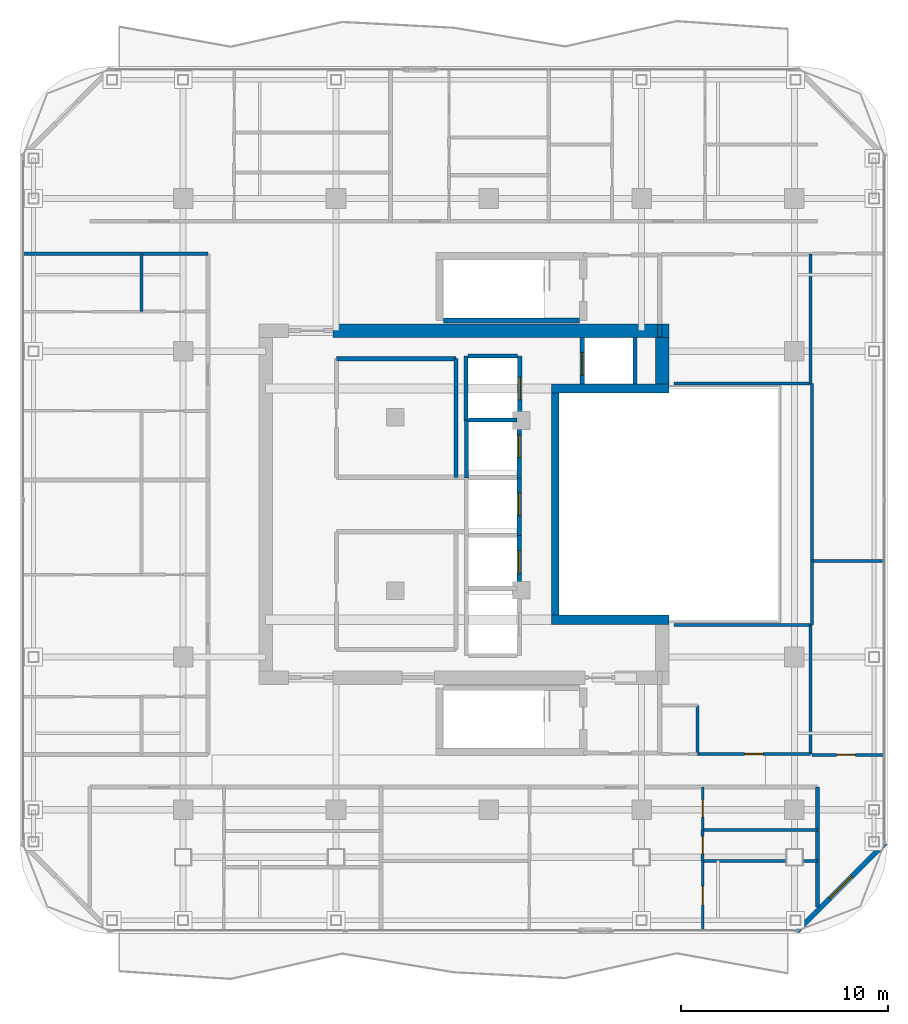
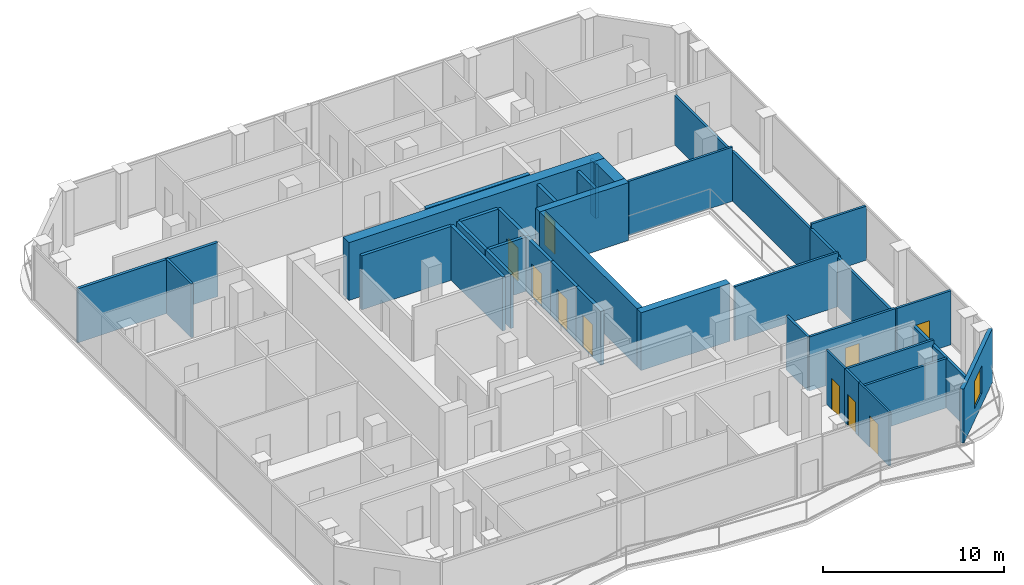
# One storey, part 19 of 22: 38 walls, 10 doors, 1 window, 11 openings.
"""IFC4 building model written with IfcOpenShell, lengths in metres."""

from ifc_helpers import new_model, si_unit, direction, frame, frame_2d, origin, place, context, subcontext, project, spatial, rectangle, extrude, material, layer, layer_set, type_object, element, fill, save


model = new_model("IFC4")

# Units and contexts
model_context = context("Model", 3, precision=1e-05, world=origin(), true_north=direction((0.0, 1.0)))
body_context = subcontext(model_context, "Body", "Model", "MODEL_VIEW")
ifc_project = project(units=[si_unit("LENGTHUNIT", "METRE"), si_unit("AREAUNIT", "SQUARE_METRE"), si_unit("VOLUMEUNIT", "CUBIC_METRE"), si_unit("PLANEANGLEUNIT", "RADIAN"), si_unit("MASSUNIT", "GRAM", prefix="KILO")], contexts=[model_context])

# Site, building, storey
site_placement = place(None, origin())
site = spatial("IfcSite", under=ifc_project, at=site_placement, CompositionType="ELEMENT")
building_placement = place(site_placement, origin())
building = spatial("IfcBuilding", under=site, at=building_placement, Name="Khorvyn Point Tower", CompositionType="ELEMENT")
storey_placement = place(building_placement, frame((0.0, 0.0, 309.300048828125)))
storey = spatial("IfcBuildingStorey", under=building, at=storey_placement, Name="L76", CompositionType="ELEMENT", Elevation=309.300048828125)

# Walls
ifc_material_1 = material(Name="Double acoustic gypsum on twin steel stud", Category="steel")
ifc_layer_1 = layer(ifc_material_1, 0.179931640625)
ifc_layer_set_1 = layer_set([ifc_layer_1], Name="Acoustic Double-Stud Apartment Demising Wall 180")
wall_type_1 = type_object("IfcWallType", Name="Acoustic Double-Stud Apartment Demising Wall 180", PredefinedType="PARTITIONING", material=ifc_layer_set_1)
wall_1_placement = place(storey_placement, frame((15.919921875, -19.510009765625, 0.0), z_axis=(0.0, 0.0, 1.0), x_axis=(0.0, 1.0, 0.0)))
element("IfcWall", 1, at=wall_1_placement, inside=storey, type_object=wall_type_1, Name="Wall", PredefinedType="PARTITIONING", context=body_context, shape_type="SweptSolid", body=[
    extrude(rectangle(XDim=5.81005859375, YDim=0.179931640625, at=frame_2d((2.905029296875, 0.0))), origin(), (0.0, 0.0, 1.0), 3.329833984375),
])
wall_2_placement = place(storey_placement, frame((-22.530029296875, 12.1201171875, 0.0), z_axis=(0.0, 0.0, 1.0), x_axis=(1.0, 0.0, 0.0)))
element("IfcWall", 2, at=wall_2_placement, inside=storey, type_object=wall_type_1, Name="Wall", PredefinedType="PARTITIONING", context=body_context, shape_type="SweptSolid", body=[
    extrude(rectangle(XDim=8.929931640625, YDim=0.179931640625, at=frame_2d((4.46484375, 0.0))), origin(), (0.0, 0.0, 1.0), 3.639892578125),
])

# Wall, opening, window
ifc_material_2 = material(Name="Pale anodised aluminium rainscreen on steel stud", Category="steel")
ifc_layer_2 = layer(ifc_material_2, 0.239990234375)
ifc_layer_set_2 = layer_set([ifc_layer_2], Name="Anodised Aluminium Insulated Corner Spandrel Wall 240")
wall_type_2 = type_object("IfcWallType", Name="Anodised Aluminium Insulated Corner Spandrel Wall 240", PredefinedType="SOLIDWALL", material=ifc_layer_set_2)
wall_3_placement = place(storey_placement, frame((19.1923828125, -16.40771484375, 0.0), z_axis=(0.0, 0.0, 1.0), x_axis=(-0.707106781187, -0.707106781187, 0.0)))
wall_3 = element("IfcWall", 3, at=wall_3_placement, inside=storey, type_object=wall_type_2, Name="L76 Rounded Corner Wall SE", PredefinedType="SOLIDWALL", context=body_context, shape_type="SweptSolid", body=[
    extrude(rectangle(XDim=6.059326171875, YDim=0.239990234375, at=frame_2d((3.02978515625, 0.0))), origin(), (0.0, 0.0, 1.0), 3.639892578125),
])
opening_1_placement = place(wall_3_placement, frame((2.27978515625, 0.0, 0.800048828125)))
opening_1 = element("IfcOpeningElement", 4, at=opening_1_placement, cuts=wall_3, Name="Opening WN-1518", PredefinedType="OPENING", context=body_context, shape_type="SweptSolid", body=[
    extrude(rectangle(XDim=1.5, YDim=1.85009765625, at=frame_2d((0.75, 0.925048828125))), frame((0.0, 0.1298828125, 0.0), z_axis=(0.0, -1.0, 0.0), x_axis=(1.0, 0.0, 0.0)), (0.0, 0.0, 1.0), 0.260009765625),
])
ifc_material_3 = material(Name="Anodised aluminium 6063-T6 and laminated Low-E glass", Category="aluminium")
window_type = type_object("IfcWindowType", Name="Anodised Aluminium Rounded-Corner Panoramic Window 1500x1850", PartitioningType="SINGLE_PANEL", PredefinedType="WINDOW", material=ifc_material_3)
window_placement = place(opening_1_placement, origin())
window = element("IfcWindow", 5, at=window_placement, inside=storey, type_object=window_type, Name="L76 Corner Panoramic Window SE", OverallHeight=1.85009765625, OverallWidth=1.5, PartitioningType="SINGLE_PANEL", PredefinedType="WINDOW", context=body_context, shape_type="SweptSolid", body=[
    extrude(rectangle(XDim=1.5, YDim=1.85009765625, at=frame_2d((0.75, 0.925048828125))), frame((0.0, 0.030029296875, 0.0), z_axis=(0.0, -1.0, 0.0), x_axis=(1.0, 0.0, 0.0)), (0.0, 0.0, 1.0), 0.06005859375),
])
fill(opening_1, window)

# Walls
ifc_material_4 = material(Name="Concrete C40/50", Category="concrete")
ifc_layer_3 = layer(ifc_material_4, 0.449951171875)
ifc_layer_set_3 = layer_set([ifc_layer_3], Name="Concrete C40/50 Core Shear Wall 450")
wall_type_3 = type_object("IfcWallType", Name="Concrete C40/50 Core Shear Wall 450", PredefinedType="SHEAR", material=ifc_layer_set_3)
for number, where, z_axis, x_axis, name in (
    (6, (3.044921875, -5.60009765625, 0.0), (0.0, 0.0, 1.0), (1.0, 0.0, 0.0), "Wall"),
    (7, (3.044921875, 5.60009765625, 0.0), (0.0, 0.0, 1.0), (1.0, 0.0, 0.0), "Wall"),
):
    element("IfcWall", number, at=place(storey_placement, frame(where, z_axis=z_axis, x_axis=x_axis)), inside=storey, type_object=wall_type_3, Name=name, PredefinedType="SHEAR", context=body_context, shape_type="SweptSolid", body=[
        extrude(rectangle(XDim=5.68017578125, YDim=0.449951171875, at=frame_2d((2.840087890625, 0.0))), origin(), (0.0, 0.0, 1.0), 3.89990234375),
    ])
ifc_layer_4 = layer(ifc_material_4, 0.64990234375)
ifc_layer_set_4 = layer_set([ifc_layer_4], Name="Concrete C40/50 Core Shear Wall 650")
wall_type_4 = type_object("IfcWallType", Name="Concrete C40/50 Core Shear Wall 650", PredefinedType="SHEAR", material=ifc_layer_set_4)
wall_4_placement = place(storey_placement, frame((-7.550048828125, 8.39990234375, 0.0), z_axis=(0.0, 0.0, 1.0), x_axis=(1.0, 0.0, 0.0)))
element("IfcWall", 8, at=wall_4_placement, inside=storey, type_object=wall_type_4, Name="Wall", PredefinedType="SHEAR", context=body_context, shape_type="SweptSolid", body=[
    extrude(rectangle(XDim=16.275146484375, YDim=0.64990234375, at=frame_2d((8.1376953125, 0.0))), origin(), (0.0, 0.0, 1.0), 3.89990234375),
])
wall_5_placement = place(storey_placement, frame((8.39990234375, 5.824951171875, 0.0), z_axis=(0.0, 0.0, 1.0), x_axis=(0.0, 1.0, 0.0)))
element("IfcWall", 9, at=wall_5_placement, inside=storey, type_object=wall_type_4, Name="Wall", PredefinedType="SHEAR", context=body_context, shape_type="SweptSolid", body=[
    extrude(rectangle(XDim=2.25, YDim=0.64990234375, at=frame_2d((1.125, 0.0))), origin(), (0.0, 0.0, 1.0), 3.89990234375),
])
ifc_layer_5 = layer(ifc_material_4, 0.199951171875)
ifc_layer_set_5 = layer_set([ifc_layer_5], Name="Concrete C40/50 Fire-Lobby Compartment Wall 200")
wall_type_5 = type_object("IfcWallType", Name="Concrete C40/50 Fire-Lobby Compartment Wall 200", PredefinedType="SOLIDWALL", material=ifc_layer_set_5)
wall_6_placement = place(storey_placement, frame((-1.580078125, 1.300048828125, 0.0), z_axis=(0.0, 0.0, 1.0), x_axis=(0.0, 1.0, 0.0)))
element("IfcWall", 10, at=wall_6_placement, inside=storey, type_object=wall_type_5, Name="Wall", PredefinedType="SOLIDWALL", context=body_context, shape_type="SweptSolid", body=[
    extrude(rectangle(XDim=5.739990234375, YDim=0.199951171875, at=frame_2d((2.8701171875, 0.0))), origin(), (0.0, 0.0, 1.0), 3.639892578125),
])
wall_7_placement = place(storey_placement, frame((-7.3798828125, 7.0400390625, 0.0), z_axis=(0.0, 0.0, 1.0), x_axis=(1.0, 0.0, 0.0)))
element("IfcWall", 11, at=wall_7_placement, inside=storey, type_object=wall_type_5, Name="Wall", PredefinedType="SOLIDWALL", context=body_context, shape_type="SweptSolid", body=[
    extrude(rectangle(XDim=5.7998046875, YDim=0.199951171875, at=frame_2d((2.89990234375, 0.0))), origin(), (0.0, 0.0, 1.0), 3.639892578125),
])
wall_8_placement = place(storey_placement, frame((8.280029296875, 8.10009765625, 0.0), z_axis=(0.0, 0.0, 1.0), x_axis=(0.0, 1.0, 0.0)))
element("IfcWall", 12, at=wall_8_placement, inside=storey, type_object=wall_type_5, Name="Wall", PredefinedType="SOLIDWALL", context=body_context, shape_type="SweptSolid", body=[
    extrude(rectangle(XDim=0.625, YDim=0.199951171875, at=frame_2d((0.3125, 0.0))), origin(), (0.0, 0.0, 1.0), 3.639892578125),
])
ifc_layer_6 = layer(ifc_material_4, 0.25)
ifc_layer_set_6 = layer_set([ifc_layer_6], Name="Concrete C40/50 Stair Inner Cheek Structural Wall 250")
wall_type_6 = type_object("IfcWallType", Name="Concrete C40/50 Stair Inner Cheek Structural Wall 250", PredefinedType="SHEAR", material=ifc_layer_set_6)
wall_9_placement = place(storey_placement, frame((-2.199951171875, 8.89990234375, 0.0), z_axis=(0.0, 0.0, 1.0), x_axis=(1.0, 0.0, 0.0)))
element("IfcWall", 13, at=wall_9_placement, inside=storey, type_object=wall_type_6, Name="Wall", PredefinedType="SHEAR", context=body_context, shape_type="SweptSolid", body=[
    extrude(rectangle(XDim=6.599853515625, YDim=0.25, at=frame_2d((3.2998046875, 0.0))), origin(), (0.0, 0.0, 1.0), 3.89990234375),
])
ifc_layer_7 = layer(ifc_material_4, 0.35009765625)
ifc_layer_set_7 = layer_set([ifc_layer_7], Name="Concrete C40/50 Stair Shaft Structural Wall 350")
wall_type_7 = type_object("IfcWallType", Name="Concrete C40/50 Stair Shaft Structural Wall 350", PredefinedType="SHEAR", material=ifc_layer_set_7)
wall_10_placement = place(storey_placement, frame((3.219970703125, -5.375, 0.0), z_axis=(0.0, 0.0, 1.0), x_axis=(0.0, 1.0, 0.0)))
element("IfcWall", 14, at=wall_10_placement, inside=storey, type_object=wall_type_7, Name="Wall", PredefinedType="SHEAR", context=body_context, shape_type="SweptSolid", body=[
    extrude(rectangle(XDim=10.75, YDim=0.35009765625, at=frame_2d((5.375, 0.0))), origin(), (0.0, 0.0, 1.0), 3.89990234375),
])

# Wall, opening, door
ifc_layer_8 = layer(ifc_material_4, 0.199951171875)
ifc_layer_set_8 = layer_set([ifc_layer_8], Name="Concrete C40/50 Structural Hoistway and Stair Shaft Wall 200")
wall_type_8 = type_object("IfcWallType", Name="Concrete C40/50 Structural Hoistway and Stair Shaft Wall 200", PredefinedType="SHEAR", material=ifc_layer_set_8)
wall_11_placement = place(storey_placement, frame((1.47509765625, -4.27490234375, 0.0), z_axis=(0.0, 0.0, 1.0), x_axis=(0.0, 1.0, 0.0)))
wall_11 = element("IfcWall", 15, at=wall_11_placement, inside=storey, type_object=wall_type_8, Name="Wall", PredefinedType="SHEAR", context=body_context, shape_type="SweptSolid", body=[
    extrude(rectangle(XDim=2.75, YDim=0.199951171875, at=frame_2d((1.375, 0.0))), origin(), (0.0, 0.0, 1.0), 3.639892578125),
])
opening_2_placement = place(wall_11_placement, frame((0.925048828125, 0.0, 0.0)))
opening_2 = element("IfcOpeningElement", 16, at=opening_2_placement, cuts=wall_11, Name="Opening LD-1122", PredefinedType="OPENING", context=body_context, shape_type="SweptSolid", body=[
    extrude(rectangle(XDim=1.10009765625, YDim=2.199951171875, at=frame_2d((0.550048828125, 1.10009765625))), frame((0.0, 0.10986328125, 0.0), z_axis=(0.0, -1.0, 0.0), x_axis=(1.0, 0.0, 0.0)), (0.0, 0.0, 1.0), 0.219970703125),
])
ifc_material_5 = material(Name="Stainless steel 1.4301", Category="steel")
door_type_1 = type_object("IfcDoorType", Name="Stainless Steel Automatic Sliding Lift Landing Door 1100x2200", OperationType="SLIDING_TO_LEFT", PredefinedType="DOOR", material=ifc_material_5)
door_1_placement = place(opening_2_placement, origin())
door_1 = element("IfcDoor", 17, at=door_1_placement, inside=storey, type_object=door_type_1, Name="L76 RH-01 Sliding Lift Landing Door", OperationType="SLIDING_TO_LEFT", OverallHeight=2.199951171875, OverallWidth=1.10009765625, PredefinedType="DOOR", context=body_context, shape_type="SweptSolid", body=[
    extrude(rectangle(XDim=1.10009765625, YDim=2.199951171875, at=frame_2d((0.550048828125, 1.10009765625))), frame((0.0, 0.02490234375, 0.0), z_axis=(0.0, -1.0, 0.0), x_axis=(1.0, 0.0, 0.0)), (0.0, 0.0, 1.0), 0.050048828125),
])
fill(opening_2, door_1)

wall_12_placement = place(storey_placement, frame((1.47509765625, -1.52490234375, 0.0), z_axis=(0.0, 0.0, 1.0), x_axis=(0.0, 1.0, 0.0)))
wall_12 = element("IfcWall", 18, at=wall_12_placement, inside=storey, type_object=wall_type_8, Name="Wall", PredefinedType="SHEAR", context=body_context, shape_type="SweptSolid", body=[
    extrude(rectangle(XDim=2.7998046875, YDim=0.199951171875, at=frame_2d((1.39990234375, 0.0))), origin(), (0.0, 0.0, 1.0), 3.639892578125),
])
opening_3_placement = place(wall_12_placement, frame((0.97509765625, 0.0, 0.0)))
opening_3 = element("IfcOpeningElement", 19, at=opening_3_placement, cuts=wall_12, Name="Opening LD-1122", PredefinedType="OPENING", context=body_context, shape_type="SweptSolid", body=[
    extrude(rectangle(XDim=1.10009765625, YDim=2.199951171875, at=frame_2d((0.550048828125, 1.10009765625))), frame((0.0, 0.10986328125, 0.0), z_axis=(0.0, -1.0, 0.0), x_axis=(1.0, 0.0, 0.0)), (0.0, 0.0, 1.0), 0.219970703125),
])
door_2_placement = place(opening_3_placement, origin())
door_2 = element("IfcDoor", 20, at=door_2_placement, inside=storey, type_object=door_type_1, Name="L76 RH-02 Sliding Lift Landing Door", OperationType="SLIDING_TO_LEFT", OverallHeight=2.199951171875, OverallWidth=1.10009765625, PredefinedType="DOOR", context=body_context, shape_type="SweptSolid", body=[
    extrude(rectangle(XDim=1.10009765625, YDim=2.199951171875, at=frame_2d((0.550048828125, 1.10009765625))), frame((0.0, 0.02490234375, 0.0), z_axis=(0.0, -1.0, 0.0), x_axis=(1.0, 0.0, 0.0)), (0.0, 0.0, 1.0), 0.050048828125),
])
fill(opening_3, door_2)

# Wall
wall_13_placement = place(storey_placement, frame((-1.074951171875, 1.27490234375, 0.0), z_axis=(0.0, 0.0, 1.0), x_axis=(0.0, 1.0, 0.0)))
element("IfcWall", 21, at=wall_13_placement, inside=storey, type_object=wall_type_8, Name="Wall", PredefinedType="SHEAR", context=body_context, shape_type="SweptSolid", body=[
    extrude(rectangle(XDim=2.800048828125, YDim=0.199951171875, at=frame_2d((1.39990234375, 0.0))), origin(), (0.0, 0.0, 1.0), 3.639892578125),
])

# Wall, opening, door
wall_14_placement = place(storey_placement, frame((1.47509765625, 1.27490234375, 0.0), z_axis=(0.0, 0.0, 1.0), x_axis=(0.0, 1.0, 0.0)))
wall_14 = element("IfcWall", 22, at=wall_14_placement, inside=storey, type_object=wall_type_8, Name="Wall", PredefinedType="SHEAR", context=body_context, shape_type="SweptSolid", body=[
    extrude(rectangle(XDim=2.800048828125, YDim=0.199951171875, at=frame_2d((1.39990234375, 0.0))), origin(), (0.0, 0.0, 1.0), 3.639892578125),
])
opening_4_placement = place(wall_14_placement, frame((0.97509765625, 0.0, 0.0)))
opening_4 = element("IfcOpeningElement", 23, at=opening_4_placement, cuts=wall_14, Name="Opening LD-1122", PredefinedType="OPENING", context=body_context, shape_type="SweptSolid", body=[
    extrude(rectangle(XDim=1.10009765625, YDim=2.199951171875, at=frame_2d((0.550048828125, 1.10009765625))), frame((0.0, 0.10986328125, 0.0), z_axis=(0.0, -1.0, 0.0), x_axis=(1.0, 0.0, 0.0)), (0.0, 0.0, 1.0), 0.219970703125),
])
door_3_placement = place(opening_4_placement, origin())
door_3 = element("IfcDoor", 24, at=door_3_placement, inside=storey, type_object=door_type_1, Name="L76 RH-03 Sliding Lift Landing Door", OperationType="SLIDING_TO_LEFT", OverallHeight=2.199951171875, OverallWidth=1.10009765625, PredefinedType="DOOR", context=body_context, shape_type="SweptSolid", body=[
    extrude(rectangle(XDim=1.10009765625, YDim=2.199951171875, at=frame_2d((0.550048828125, 1.10009765625))), frame((0.0, 0.02490234375, 0.0), z_axis=(0.0, -1.0, 0.0), x_axis=(1.0, 0.0, 0.0)), (0.0, 0.0, 1.0), 0.050048828125),
])
fill(opening_4, door_3)

# Walls
wall_15_placement = place(storey_placement, frame((-0.97509765625, 4.074951171875, 0.0), z_axis=(0.0, 0.0, 1.0), x_axis=(1.0, 0.0, 0.0)))
element("IfcWall", 25, at=wall_15_placement, inside=storey, type_object=wall_type_8, Name="Wall", PredefinedType="SHEAR", context=body_context, shape_type="SweptSolid", body=[
    extrude(rectangle(XDim=2.35009765625, YDim=0.199951171875, at=frame_2d((1.175048828125, 0.0))), origin(), (0.0, 0.0, 1.0), 3.639892578125),
])
wall_16_placement = place(storey_placement, frame((-1.10009765625, 4.02490234375, 0.0), z_axis=(0.0, 0.0, 1.0), x_axis=(0.0, 1.0, 0.0)))
element("IfcWall", 26, at=wall_16_placement, inside=storey, type_object=wall_type_8, Name="Wall", PredefinedType="SHEAR", context=body_context, shape_type="SweptSolid", body=[
    extrude(rectangle(XDim=3.150146484375, YDim=0.199951171875, at=frame_2d((1.5751953125, 0.0))), origin(), (0.0, 0.0, 1.0), 3.639892578125),
])

# Wall, opening, door
wall_17_placement = place(storey_placement, frame((1.5, 4.02490234375, 0.0), z_axis=(0.0, 0.0, 1.0), x_axis=(0.0, 1.0, 0.0)))
wall_17 = element("IfcWall", 27, at=wall_17_placement, inside=storey, type_object=wall_type_8, Name="Wall", PredefinedType="SHEAR", context=body_context, shape_type="SweptSolid", body=[
    extrude(rectangle(XDim=3.150146484375, YDim=0.199951171875, at=frame_2d((1.5751953125, 0.0))), origin(), (0.0, 0.0, 1.0), 3.639892578125),
])
opening_5_placement = place(wall_17_placement, frame((1.02490234375, 0.0, 0.0)))
opening_5 = element("IfcOpeningElement", 28, at=opening_5_placement, cuts=wall_17, Name="Opening LD-1122", PredefinedType="OPENING", context=body_context, shape_type="SweptSolid", body=[
    extrude(rectangle(XDim=1.10009765625, YDim=2.199951171875, at=frame_2d((0.550048828125, 1.10009765625))), frame((0.0, 0.10986328125, 0.0), z_axis=(0.0, -1.0, 0.0), x_axis=(1.0, 0.0, 0.0)), (0.0, 0.0, 1.0), 0.219970703125),
])
door_4_placement = place(opening_5_placement, origin())
door_4 = element("IfcDoor", 29, at=door_4_placement, inside=storey, type_object=door_type_1, Name="L76 SV-01 Sliding Lift Landing Door", OperationType="SLIDING_TO_LEFT", OverallHeight=2.199951171875, OverallWidth=1.10009765625, PredefinedType="DOOR", context=body_context, shape_type="SweptSolid", body=[
    extrude(rectangle(XDim=1.10009765625, YDim=2.199951171875, at=frame_2d((0.550048828125, 1.10009765625))), frame((0.0, 0.02490234375, 0.0), z_axis=(0.0, -1.0, 0.0), x_axis=(1.0, 0.0, 0.0)), (0.0, 0.0, 1.0), 0.050048828125),
])
fill(opening_5, door_4)

# Wall
wall_18_placement = place(storey_placement, frame((-1.0, 7.175048828125, 0.0), z_axis=(0.0, 0.0, 1.0), x_axis=(1.0, 0.0, 0.0)))
element("IfcWall", 30, at=wall_18_placement, inside=storey, type_object=wall_type_8, Name="Wall", PredefinedType="SHEAR", context=body_context, shape_type="SweptSolid", body=[
    extrude(rectangle(XDim=2.39990234375, YDim=0.199951171875, at=frame_2d((1.199951171875, 0.0))), origin(), (0.0, 0.0, 1.0), 3.639892578125),
])

# Wall, opening, door
wall_19_placement = place(storey_placement, frame((4.52490234375, 5.824951171875, 0.0), z_axis=(0.0, 0.0, 1.0), x_axis=(0.0, 1.0, 0.0)))
wall_19 = element("IfcWall", 31, at=wall_19_placement, inside=storey, type_object=wall_type_8, Name="Wall", PredefinedType="SHEAR", context=body_context, shape_type="SweptSolid", body=[
    extrude(rectangle(XDim=2.25, YDim=0.199951171875, at=frame_2d((1.125, 0.0))), origin(), (0.0, 0.0, 1.0), 3.639892578125),
])
opening_6_placement = place(wall_19_placement, frame((0.425048828125, 0.0, 0.0)))
opening_6 = element("IfcOpeningElement", 32, at=opening_6_placement, cuts=wall_19, Name="Opening LD-1122", PredefinedType="OPENING", context=body_context, shape_type="SweptSolid", body=[
    extrude(rectangle(XDim=1.10009765625, YDim=2.199951171875, at=frame_2d((0.550048828125, 1.10009765625))), frame((0.0, 0.10986328125, 0.0), z_axis=(0.0, -1.0, 0.0), x_axis=(1.0, 0.0, 0.0)), (0.0, 0.0, 1.0), 0.219970703125),
])
door_5_placement = place(opening_6_placement, origin())
door_5 = element("IfcDoor", 33, at=door_5_placement, inside=storey, type_object=door_type_1, Name="L76 FF-02 Sliding Lift Landing Door", OperationType="SLIDING_TO_LEFT", OverallHeight=2.199951171875, OverallWidth=1.10009765625, PredefinedType="DOOR", context=body_context, shape_type="SweptSolid", body=[
    extrude(rectangle(XDim=1.10009765625, YDim=2.199951171875, at=frame_2d((0.550048828125, 1.10009765625))), frame((0.0, 0.02490234375, 0.0), z_axis=(0.0, -1.0, 0.0), x_axis=(1.0, 0.0, 0.0)), (0.0, 0.0, 1.0), 0.050048828125),
])
fill(opening_6, door_5)

# Wall
wall_20_placement = place(storey_placement, frame((7.074951171875, 5.824951171875, 0.0), z_axis=(0.0, 0.0, 1.0), x_axis=(0.0, 1.0, 0.0)))
element("IfcWall", 34, at=wall_20_placement, inside=storey, type_object=wall_type_8, Name="Wall", PredefinedType="SHEAR", context=body_context, shape_type="SweptSolid", body=[
    extrude(rectangle(XDim=2.25, YDim=0.199951171875, at=frame_2d((1.125, 0.0))), origin(), (0.0, 0.0, 1.0), 3.639892578125),
])

# Wall, opening, door
ifc_material_6 = material(Name="Gypsum plasterboard on steel stud", Category="steel")
ifc_layer_9 = layer(ifc_material_6, 0.1201171875)
ifc_layer_set_9 = layer_set([ifc_layer_9], Name="Gypsum Acoustic Stud Room Partition Wall 120")
wall_type_9 = type_object("IfcWallType", Name="Gypsum Acoustic Stud Room Partition Wall 120", PredefinedType="PARTITIONING", material=ifc_layer_set_9)
wall_21_placement = place(storey_placement, frame((10.35205078125, -15.77294921875, 0.0), z_axis=(0.0, 0.0, 1.0), x_axis=(0.0, 1.0, 0.0)))
wall_21 = element("IfcWall", 35, at=wall_21_placement, inside=storey, type_object=wall_type_9, Name="Wall", PredefinedType="PARTITIONING", context=body_context, shape_type="SweptSolid", body=[
    extrude(rectangle(XDim=2.072998046875, YDim=0.1201171875, at=frame_2d((1.03662109375, 0.0))), origin(), (0.0, 0.0, 1.0), 3.639892578125),
])
opening_7_placement = place(wall_21_placement, frame((0.611572265625, 0.0, 0.0)))
opening_7 = element("IfcOpeningElement", 36, at=opening_7_placement, cuts=wall_21, Name="Opening ID-WC85", PredefinedType="OPENING", context=body_context, shape_type="SweptSolid", body=[
    extrude(rectangle(XDim=0.85009765625, YDim=2.10009765625, at=frame_2d((0.425048828125, 1.050048828125))), frame((0.0, 0.070068359375, 0.0), z_axis=(0.0, -1.0, 0.0), x_axis=(1.0, 0.0, 0.0)), (0.0, 0.0, 1.0), 0.14013671875),
])
ifc_material_7 = material(Name="High-pressure laminate on moisture-resistant core", Category="wood")
door_type_2 = type_object("IfcDoorType", Name="Moisture-Resistant Accessible Washroom Door 850x2100", OperationType="NOTDEFINED", PredefinedType="DOOR", material=ifc_material_7)
door_6_placement = place(opening_7_placement, origin())
door_6 = element("IfcDoor", 37, at=door_6_placement, inside=storey, type_object=door_type_2, Name="Door", OperationType="SINGLE_SWING_RIGHT", OverallHeight=2.10009765625, OverallWidth=0.85009765625, PredefinedType="DOOR", context=body_context, shape_type="SweptSolid", body=[
    extrude(rectangle(XDim=0.85009765625, YDim=2.10009765625, at=frame_2d((0.425048828125, 1.050048828125))), frame((0.0, 0.02490234375, 0.0), z_axis=(0.0, -1.0, 0.0), x_axis=(1.0, 0.0, 0.0)), (0.0, 0.0, 1.0), 0.050048828125),
])
fill(opening_7, door_6)

wall_22_placement = place(storey_placement, frame((10.35205078125, -20.6298828125, 0.0), z_axis=(0.0, 0.0, 1.0), x_axis=(0.0, 1.0, 0.0)))
wall_22 = element("IfcWall", 38, at=wall_22_placement, inside=storey, type_object=wall_type_9, Name="Wall", PredefinedType="PARTITIONING", context=body_context, shape_type="SweptSolid", body=[
    extrude(rectangle(XDim=3.348876953125, YDim=0.1201171875, at=frame_2d((1.67431640625, 0.0))), origin(), (0.0, 0.0, 1.0), 3.639892578125),
])
opening_8_placement = place(wall_22_placement, frame((1.224609375, 0.0, 0.0)))
opening_8 = element("IfcOpeningElement", 39, at=opening_8_placement, cuts=wall_22, Name="Opening ID-RM90", PredefinedType="OPENING", context=body_context, shape_type="SweptSolid", body=[
    extrude(rectangle(XDim=0.89990234375, YDim=2.10009765625, at=frame_2d((0.449951171875, 1.050048828125))), frame((0.0, 0.070068359375, 0.0), z_axis=(0.0, -1.0, 0.0), x_axis=(1.0, 0.0, 0.0)), (0.0, 0.0, 1.0), 0.14013671875),
])
ifc_material_8 = material(Name="Engineered oak veneer timber", Category="wood")
door_type_3 = type_object("IfcDoorType", Name="Flush Engineered Timber Room Door 900x2100", OperationType="NOTDEFINED", PredefinedType="DOOR", material=ifc_material_8)
door_7_placement = place(opening_8_placement, origin())
door_7 = element("IfcDoor", 40, at=door_7_placement, inside=storey, type_object=door_type_3, Name="Door", OperationType="SINGLE_SWING_LEFT", OverallHeight=2.10009765625, OverallWidth=0.89990234375, PredefinedType="DOOR", context=body_context, shape_type="SweptSolid", body=[
    extrude(rectangle(XDim=0.89990234375, YDim=2.10009765625, at=frame_2d((0.449951171875, 1.050048828125))), frame((0.0, 0.02490234375, 0.0), z_axis=(0.0, -1.0, 0.0), x_axis=(1.0, 0.0, 0.0)), (0.0, 0.0, 1.0), 0.050048828125),
])
fill(opening_8, door_7)

ifc_material_9 = material(Name="Moisture-resistant gypsum and cement board", Category="gypsum")
ifc_layer_10 = layer(ifc_material_9, 0.14990234375)
ifc_layer_set_10 = layer_set([ifc_layer_10], Name="Moisture-Resistant Wet-Room Partition Wall 150")
wall_type_10 = type_object("IfcWallType", Name="Moisture-Resistant Wet-Room Partition Wall 150", PredefinedType="PARTITIONING", material=ifc_layer_set_10)
wall_23_placement = place(storey_placement, frame((10.10009765625, -12.10009765625, 0.0), z_axis=(0.0, 0.0, 1.0), x_axis=(1.0, 0.0, 0.0)))
wall_23 = element("IfcWall", 41, at=wall_23_placement, inside=storey, type_object=wall_type_10, Name="Wall", PredefinedType="PARTITIONING", context=body_context, shape_type="SweptSolid", body=[
    extrude(rectangle(XDim=5.47998046875, YDim=0.14990234375, at=frame_2d((2.739990234375, 0.0))), origin(), (0.0, 0.0, 1.0), 3.639892578125),
])
opening_9_placement = place(wall_23_placement, frame((2.2900390625, 0.0, 0.0)))
opening_9 = element("IfcOpeningElement", 42, at=opening_9_placement, cuts=wall_23, Name="Opening ID-RM90", PredefinedType="OPENING", context=body_context, shape_type="SweptSolid", body=[
    extrude(rectangle(XDim=0.89990234375, YDim=2.10009765625, at=frame_2d((0.449951171875, 1.050048828125))), frame((0.0, 0.0849609375, 0.0), z_axis=(0.0, -1.0, 0.0), x_axis=(1.0, 0.0, 0.0)), (0.0, 0.0, 1.0), 0.169921875),
])
door_8_placement = place(opening_9_placement, origin())
door_8 = element("IfcDoor", 43, at=door_8_placement, inside=storey, type_object=door_type_3, Name="Door", OperationType="SINGLE_SWING_LEFT", OverallHeight=2.10009765625, OverallWidth=0.89990234375, PredefinedType="DOOR", context=body_context, shape_type="SweptSolid", body=[
    extrude(rectangle(XDim=0.89990234375, YDim=2.10009765625, at=frame_2d((0.449951171875, 1.050048828125))), frame((0.0, 0.02490234375, 0.0), z_axis=(0.0, -1.0, 0.0), x_axis=(1.0, 0.0, 0.0)), (0.0, 0.0, 1.0), 0.050048828125),
])
fill(opening_9, door_8)

wall_24_placement = place(storey_placement, frame((10.35205078125, -17.281005859375, 0.0), z_axis=(0.0, 0.0, 1.0), x_axis=(0.0, 1.0, 0.0)))
wall_24 = element("IfcWall", 44, at=wall_24_placement, inside=storey, type_object=wall_type_10, Name="Wall", PredefinedType="PARTITIONING", context=body_context, shape_type="SweptSolid", body=[
    extrude(rectangle(XDim=1.508056640625, YDim=0.14990234375, at=frame_2d((0.75390625, 0.0))), origin(), (0.0, 0.0, 1.0), 3.639892578125),
])
opening_10_placement = place(wall_24_placement, frame((0.3291015625, 0.0, 0.0)))
opening_10 = element("IfcOpeningElement", 45, at=opening_10_placement, cuts=wall_24, Name="Opening ID-WC85", PredefinedType="OPENING", context=body_context, shape_type="SweptSolid", body=[
    extrude(rectangle(XDim=0.85009765625, YDim=2.10009765625, at=frame_2d((0.425048828125, 1.050048828125))), frame((0.0, 0.0849609375, 0.0), z_axis=(0.0, -1.0, 0.0), x_axis=(1.0, 0.0, 0.0)), (0.0, 0.0, 1.0), 0.169921875),
])
door_9_placement = place(opening_10_placement, origin())
door_9 = element("IfcDoor", 46, at=door_9_placement, inside=storey, type_object=door_type_2, Name="Door", OperationType="SINGLE_SWING_LEFT", OverallHeight=2.10009765625, OverallWidth=0.85009765625, PredefinedType="DOOR", context=body_context, shape_type="SweptSolid", body=[
    extrude(rectangle(XDim=0.85009765625, YDim=2.10009765625, at=frame_2d((0.425048828125, 1.050048828125))), frame((0.0, 0.02490234375, 0.0), z_axis=(0.0, -1.0, 0.0), x_axis=(1.0, 0.0, 0.0)), (0.0, 0.0, 1.0), 0.050048828125),
])
fill(opening_10, door_9)

wall_25_placement = place(storey_placement, frame((15.64990234375, -12.139892578125, 0.0), z_axis=(0.0, 0.0, 1.0), x_axis=(1.0, 0.0, 0.0)))
wall_25 = element("IfcWall", 47, at=wall_25_placement, inside=storey, type_object=wall_type_10, Name="Wall", PredefinedType="PARTITIONING", context=body_context, shape_type="SweptSolid", body=[
    extrude(rectangle(XDim=3.47021484375, YDim=0.14990234375, at=frame_2d((1.735107421875, 0.0))), origin(), (0.0, 0.0, 1.0), 3.639892578125),
])
opening_11_placement = place(wall_25_placement, frame((1.198486328125, 0.0, 0.0)))
opening_11 = element("IfcOpeningElement", 48, at=opening_11_placement, cuts=wall_25, Name="Opening ID-RM90", PredefinedType="OPENING", context=body_context, shape_type="SweptSolid", body=[
    extrude(rectangle(XDim=0.89990234375, YDim=2.10009765625, at=frame_2d((0.449951171875, 1.050048828125))), frame((0.0, 0.0849609375, 0.0), z_axis=(0.0, -1.0, 0.0), x_axis=(1.0, 0.0, 0.0)), (0.0, 0.0, 1.0), 0.169921875),
])
door_10_placement = place(opening_11_placement, origin())
door_10 = element("IfcDoor", 49, at=door_10_placement, inside=storey, type_object=door_type_3, Name="Door", OperationType="SINGLE_SWING_RIGHT", OverallHeight=2.10009765625, OverallWidth=0.89990234375, PredefinedType="DOOR", context=body_context, shape_type="SweptSolid", body=[
    extrude(rectangle(XDim=0.89990234375, YDim=2.10009765625, at=frame_2d((0.449951171875, 1.050048828125))), frame((0.0, 0.02490234375, 0.0), z_axis=(0.0, -1.0, 0.0), x_axis=(1.0, 0.0, 0.0)), (0.0, 0.0, 1.0), 0.050048828125),
])
fill(opening_11, door_10)

# Walls
wall_26_placement = place(storey_placement, frame((10.10009765625, -12.10009765625, 0.0), z_axis=(0.0, 0.0, 1.0), x_axis=(0.0, 1.0, 0.0)))
element("IfcWall", 50, at=wall_26_placement, inside=storey, type_object=wall_type_10, Name="Wall", PredefinedType="PARTITIONING", context=body_context, shape_type="SweptSolid", body=[
    extrude(rectangle(XDim=2.35009765625, YDim=0.14990234375, at=frame_2d((1.175048828125, 0.0))), origin(), (0.0, 0.0, 1.0), 3.639892578125),
])
wall_27_placement = place(storey_placement, frame((15.580078125, -12.10009765625, 0.0), z_axis=(0.0, 0.0, 1.0), x_axis=(0.0, 1.0, 0.0)))
element("IfcWall", 51, at=wall_27_placement, inside=storey, type_object=wall_type_10, Name="Wall", PredefinedType="PARTITIONING", context=body_context, shape_type="SweptSolid", body=[
    extrude(rectangle(XDim=6.25, YDim=0.14990234375, at=frame_2d((3.125, 0.0))), origin(), (0.0, 0.0, 1.0), 3.329833984375),
])
wall_28_placement = place(storey_placement, frame((8.9599609375, -5.85009765625, 0.0), z_axis=(0.0, 0.0, 1.0), x_axis=(1.0, 0.0, 0.0)))
element("IfcWall", 52, at=wall_28_placement, inside=storey, type_object=wall_type_10, Name="Wall", PredefinedType="PARTITIONING", context=body_context, shape_type="SweptSolid", body=[
    extrude(rectangle(XDim=6.6201171875, YDim=0.14990234375, at=frame_2d((3.31005859375, 0.0))), origin(), (0.0, 0.0, 1.0), 3.639892578125),
])
wall_29_placement = place(storey_placement, frame((15.580078125, 5.85009765625, 0.0), z_axis=(0.0, 0.0, 1.0), x_axis=(0.0, 1.0, 0.0)))
element("IfcWall", 53, at=wall_29_placement, inside=storey, type_object=wall_type_10, Name="Wall", PredefinedType="PARTITIONING", context=body_context, shape_type="SweptSolid", body=[
    extrude(rectangle(XDim=6.25, YDim=0.14990234375, at=frame_2d((3.125, 0.0))), origin(), (0.0, 0.0, 1.0), 3.329833984375),
])
wall_30_placement = place(storey_placement, frame((8.9599609375, 5.85009765625, 0.0), z_axis=(0.0, 0.0, 1.0), x_axis=(1.0, 0.0, 0.0)))
element("IfcWall", 54, at=wall_30_placement, inside=storey, type_object=wall_type_10, Name="Wall", PredefinedType="PARTITIONING", context=body_context, shape_type="SweptSolid", body=[
    extrude(rectangle(XDim=6.6201171875, YDim=0.14990234375, at=frame_2d((3.31005859375, 0.0))), origin(), (0.0, 0.0, 1.0), 3.639892578125),
])
wall_31_placement = place(storey_placement, frame((10.35205078125, -15.77294921875, 0.0), z_axis=(0.0, 0.0, 1.0), x_axis=(1.0, 0.0, 0.0)))
element("IfcWall", 55, at=wall_31_placement, inside=storey, type_object=wall_type_10, Name="Wall", PredefinedType="PARTITIONING", context=body_context, shape_type="SweptSolid", body=[
    extrude(rectangle(XDim=5.56787109375, YDim=0.14990234375, at=frame_2d((2.783935546875, 0.0))), origin(), (0.0, 0.0, 1.0), 3.639892578125),
])
wall_32_placement = place(storey_placement, frame((10.35205078125, -17.281005859375, 0.0), z_axis=(0.0, 0.0, 1.0), x_axis=(1.0, 0.0, 0.0)))
element("IfcWall", 56, at=wall_32_placement, inside=storey, type_object=wall_type_10, Name="Wall", PredefinedType="PARTITIONING", context=body_context, shape_type="SweptSolid", body=[
    extrude(rectangle(XDim=5.56787109375, YDim=0.14990234375, at=frame_2d((2.783935546875, 0.0))), origin(), (0.0, 0.0, 1.0), 3.329833984375),
])
wall_33_placement = place(storey_placement, frame((-16.80908203125, 9.320068359375, 0.0), z_axis=(0.0, 0.0, 1.0), x_axis=(0.0, 1.0, 0.0)))
element("IfcWall", 57, at=wall_33_placement, inside=storey, type_object=wall_type_10, Name="Wall", PredefinedType="PARTITIONING", context=body_context, shape_type="SweptSolid", body=[
    extrude(rectangle(XDim=2.800048828125, YDim=0.14990234375, at=frame_2d((1.39990234375, 0.0))), origin(), (0.0, 0.0, 1.0), 3.639892578125),
])
wall_34_placement = place(storey_placement, frame((15.64990234375, -5.85009765625, 0.0), z_axis=(0.0, 0.0, 1.0), x_axis=(0.0, 1.0, 0.0)))
element("IfcWall", 58, at=wall_34_placement, inside=storey, type_object=wall_type_10, Name="Wall", PredefinedType="PARTITIONING", context=body_context, shape_type="SweptSolid", body=[
    extrude(rectangle(XDim=3.10009765625, YDim=0.14990234375, at=frame_2d((1.550048828125, 0.0))), origin(), (0.0, 0.0, 1.0), 3.329833984375),
])
wall_35_placement = place(storey_placement, frame((15.64990234375, -2.75, 0.0), z_axis=(0.0, 0.0, 1.0), x_axis=(0.0, 1.0, 0.0)))
element("IfcWall", 59, at=wall_35_placement, inside=storey, type_object=wall_type_10, Name="Wall", PredefinedType="PARTITIONING", context=body_context, shape_type="SweptSolid", body=[
    extrude(rectangle(XDim=8.60009765625, YDim=0.14990234375, at=frame_2d((4.300048828125, 0.0))), origin(), (0.0, 0.0, 1.0), 3.329833984375),
])
wall_36_placement = place(storey_placement, frame((15.64990234375, -2.75, 0.0), z_axis=(0.0, 0.0, 1.0), x_axis=(1.0, 0.0, 0.0)))
element("IfcWall", 60, at=wall_36_placement, inside=storey, type_object=wall_type_10, Name="Wall", PredefinedType="PARTITIONING", context=body_context, shape_type="SweptSolid", body=[
    extrude(rectangle(XDim=3.47998046875, YDim=0.14990234375, at=frame_2d((1.739990234375, 0.0))), origin(), (0.0, 0.0, 1.0), 3.639892578125),
])

save(model, "model.ifc")
